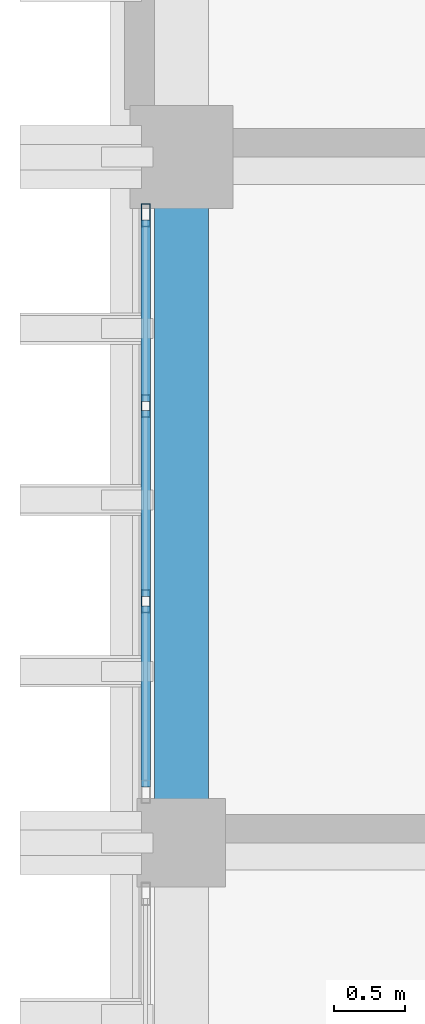
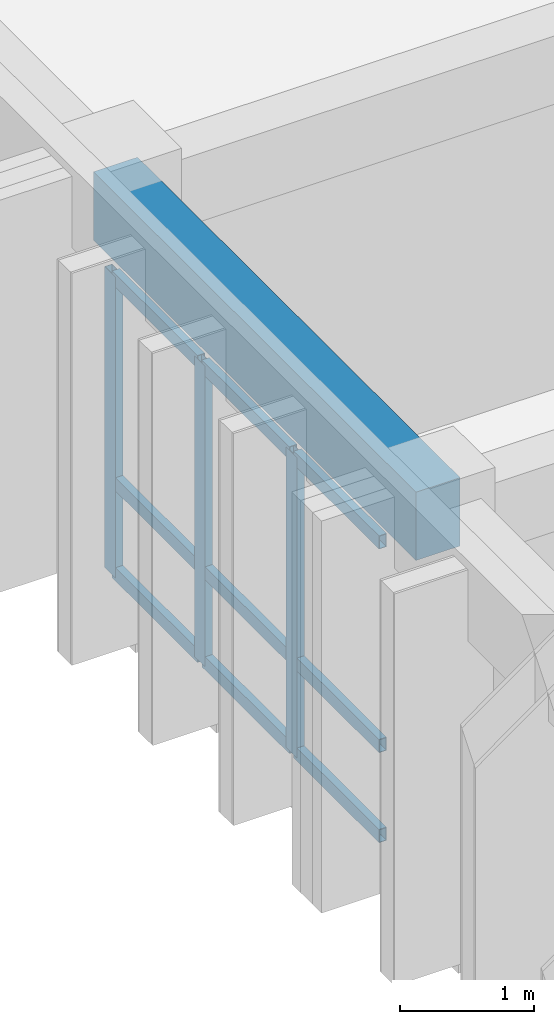
# One storey, part 10 of 59: 12 members, 1 beam, 1 element without a shape of its own.
"""IFC4 building model written with IfcOpenShell, lengths in metres."""

from ifc_helpers import new_model, si_unit, direction, frame, origin, origin_2d, place, context, subcontext, project, spatial, rectangle, hollow_rectangle, extrude, material, layer, layer_set, material_profile, profile_set, type_object, element, aggregate, save


model = new_model("IFC4")

# Units and contexts
model_context = context("Model", 3, precision=1e-05, world=origin(), true_north=direction((0.0, 1.0)))
body_context = subcontext(model_context, "Body", "Model", "MODEL_VIEW")
ifc_project = project(units=[si_unit("LENGTHUNIT", "METRE"), si_unit("AREAUNIT", "SQUARE_METRE"), si_unit("VOLUMEUNIT", "CUBIC_METRE"), si_unit("PLANEANGLEUNIT", "RADIAN"), si_unit("MASSUNIT", "GRAM", prefix="KILO")], contexts=[model_context])

# Site, building, storey
site_placement = place(None, origin())
site = spatial("IfcSite", under=ifc_project, at=site_placement, CompositionType="ELEMENT")
building_placement = place(site_placement, origin())
building = spatial("IfcBuilding", under=site, at=building_placement, Name="Nakhvara Creek Congress Hotel", CompositionType="ELEMENT")
storey_placement = place(building_placement, frame((0.0, 0.0, 31.800048828125)))
storey = spatial("IfcBuildingStorey", under=building, at=storey_placement, Name="L07", CompositionType="ELEMENT", Elevation=31.800048828125)

# Beam
ifc_material_1 = material(Name="Concrete C40/50", Category="concrete")
ifc_material_profile_1 = material_profile(ifc_material_1, rectangle(XDim=0.3798828125, YDim=0.6201171875, at=origin_2d()), Name="RC-BM 380x620", Category="LoadBearing")
ifc_profile_set_1 = profile_set([ifc_material_profile_1], Name="Concrete C40/50")
beam_type = type_object("IfcBeamType", Name="BM-RC-380X620", PredefinedType="BEAM", material=ifc_profile_set_1)
beam_placement = place(storey_placement, frame((149.449951171875, 62.39990234375, 3.050048828125), z_axis=(0.0, 1.0, 0.0), x_axis=(-1.0, 0.0, 0.0)))
element("IfcBeam", 1, at=beam_placement, inside=storey, type_object=beam_type, Name="Beam B10-L07-2324", PredefinedType="BEAM", context=body_context, shape_type="SweptSolid", body=[
    extrude(rectangle(XDim=0.3798828125, YDim=0.6201171875, at=origin_2d()), origin(), (0.0, 0.0, 1.0), 4.800048828125),
])

# Curtain wall, members
ifc_material_2 = material(Name="Bronze-anodised aluminium AW-6063-T6 and double-silver low-E glass", Category="aluminium")
ifc_layer = layer(ifc_material_2, 0.199951171875)
ifc_layer_set = layer_set([ifc_layer], Name="Bronze-anodised aluminium AW-6063-T6 and double-silver low-E glass")
curtain_wall_type = type_object("IfcCurtainWallType", Name="CW-HTL-UNIT", PredefinedType="USERDEFINED", material=ifc_layer_set)
curtain_wall_placement = place(storey_placement, origin())
curtain_wall = element("IfcCurtainWall", 2, at=curtain_wall_placement, inside=storey, type_object=curtain_wall_type, Name="Curtain Wall CW258", ObjectType="UNITISED", PredefinedType="USERDEFINED")
ifc_material_3 = material(Name="Bronze-anodised aluminium AW-6063-T6", Category="aluminium")
ifc_material_profile_2 = material_profile(ifc_material_3, hollow_rectangle(XDim=0.06494140625, YDim=0.159912109375, WallThickness=0.00390625, at=origin_2d()), Name="ALU-MULL 65x160x4", Category="LoadBearing")
ifc_profile_set_2 = profile_set([ifc_material_profile_2], Name="Bronze-anodised aluminium AW-6063-T6")
member_type_1 = type_object("IfcMemberType", Name="CW-MULL-160", PredefinedType="MULLION", material=ifc_profile_set_2)
member_1_placement = place(storey_placement, frame((149.199951171875, 64.091552734375, 0.0), z_axis=(0.0, 0.0, 1.0), x_axis=(-1.0, 0.0, 0.0)))
member_1 = element("IfcMember", 3, at=member_1_placement, type_object=member_type_1, Name="CW258 mullion 2", PredefinedType="MULLION", context=body_context, shape_type="SweptSolid", body=[
    extrude(hollow_rectangle(XDim=0.06494140625, YDim=0.159912109375, WallThickness=0.00390625, at=origin_2d()), origin(), (0.0, 0.0, 1.0), 2.73193359375),
])
member_2_placement = place(storey_placement, frame((149.199951171875, 65.458251953125, 0.0), z_axis=(0.0, 0.0, 1.0), x_axis=(-1.0, 0.0, 0.0)))
member_2 = element("IfcMember", 4, at=member_2_placement, type_object=member_type_1, Name="CW258 mullion 3", PredefinedType="MULLION", context=body_context, shape_type="SweptSolid", body=[
    extrude(hollow_rectangle(XDim=0.06494140625, YDim=0.159912109375, WallThickness=0.00390625, at=origin_2d()), origin(), (0.0, 0.0, 1.0), 2.73193359375),
])
member_3_placement = place(storey_placement, frame((149.199951171875, 66.79248046875, 0.0), z_axis=(0.0, 0.0, 1.0), x_axis=(-1.0, 0.0, 0.0)))
member_3 = element("IfcMember", 5, at=member_3_placement, type_object=member_type_1, Name="CW258 mullion 4", PredefinedType="MULLION", context=body_context, shape_type="SweptSolid", body=[
    extrude(hollow_rectangle(XDim=0.06494140625, YDim=0.159912109375, WallThickness=0.00390625, at=origin_2d()), origin(), (0.0, 0.0, 1.0), 2.73193359375),
])
ifc_material_profile_3 = material_profile(ifc_material_3, hollow_rectangle(XDim=0.06494140625, YDim=0.1201171875, WallThickness=0.00390625, at=origin_2d()), Name="ALU-TRAN 65x120x4", Category="LoadBearing")
ifc_profile_set_3 = profile_set([ifc_material_profile_3], Name="Bronze-anodised aluminium AW-6063-T6")
member_type_2 = type_object("IfcMemberType", Name="CW-TRAN-120", PredefinedType="USERDEFINED", material=ifc_profile_set_3)
member_4_placement = place(storey_placement, frame((149.199951171875, 62.7900390625, 0.032470703125), z_axis=(0.0, 1.0, 0.0), x_axis=(-1.0, 0.0, 0.0)))
member_4 = element("IfcMember", 6, at=member_4_placement, type_object=member_type_2, Name="CW258 transom 1.1", ObjectType="TRANSOM", PredefinedType="USERDEFINED", context=body_context, shape_type="SweptSolid", body=[
    extrude(hollow_rectangle(XDim=0.06494140625, YDim=0.1201171875, WallThickness=0.00390625, at=origin_2d()), origin(), (0.0, 0.0, 1.0), 1.26904296875),
])
member_5_placement = place(storey_placement, frame((149.199951171875, 62.7900390625, 0.849853515625), z_axis=(0.0, 1.0, 0.0), x_axis=(-1.0, 0.0, 0.0)))
member_5 = element("IfcMember", 7, at=member_5_placement, type_object=member_type_2, Name="CW258 transom 1.2", ObjectType="TRANSOM", PredefinedType="USERDEFINED", context=body_context, shape_type="SweptSolid", body=[
    extrude(hollow_rectangle(XDim=0.06494140625, YDim=0.1201171875, WallThickness=0.00390625, at=origin_2d()), origin(), (0.0, 0.0, 1.0), 1.26904296875),
])
member_6_placement = place(storey_placement, frame((149.199951171875, 62.7900390625, 2.699462890625), z_axis=(0.0, 1.0, 0.0), x_axis=(-1.0, 0.0, 0.0)))
member_6 = element("IfcMember", 8, at=member_6_placement, type_object=member_type_2, Name="CW258 transom 1.3", ObjectType="TRANSOM", PredefinedType="USERDEFINED", context=body_context, shape_type="SweptSolid", body=[
    extrude(hollow_rectangle(XDim=0.06494140625, YDim=0.1201171875, WallThickness=0.00390625, at=origin_2d()), origin(), (0.0, 0.0, 1.0), 1.26904296875),
])
member_7_placement = place(storey_placement, frame((149.199951171875, 64.124267578125, 0.032470703125), z_axis=(0.0, 1.0, 0.0), x_axis=(-1.0, 0.0, 0.0)))
member_7 = element("IfcMember", 9, at=member_7_placement, type_object=member_type_2, Name="CW258 transom 2.1", ObjectType="TRANSOM", PredefinedType="USERDEFINED", context=body_context, shape_type="SweptSolid", body=[
    extrude(hollow_rectangle(XDim=0.06494140625, YDim=0.1201171875, WallThickness=0.00390625, at=origin_2d()), origin(), (0.0, 0.0, 1.0), 1.301513671875),
])
member_8_placement = place(storey_placement, frame((149.199951171875, 64.124267578125, 0.849853515625), z_axis=(0.0, 1.0, 0.0), x_axis=(-1.0, 0.0, 0.0)))
member_8 = element("IfcMember", 10, at=member_8_placement, type_object=member_type_2, Name="CW258 transom 2.2", ObjectType="TRANSOM", PredefinedType="USERDEFINED", context=body_context, shape_type="SweptSolid", body=[
    extrude(hollow_rectangle(XDim=0.06494140625, YDim=0.1201171875, WallThickness=0.00390625, at=origin_2d()), origin(), (0.0, 0.0, 1.0), 1.301513671875),
])
member_9_placement = place(storey_placement, frame((149.199951171875, 64.124267578125, 2.699462890625), z_axis=(0.0, 1.0, 0.0), x_axis=(-1.0, 0.0, 0.0)))
member_9 = element("IfcMember", 11, at=member_9_placement, type_object=member_type_2, Name="CW258 transom 2.3", ObjectType="TRANSOM", PredefinedType="USERDEFINED", context=body_context, shape_type="SweptSolid", body=[
    extrude(hollow_rectangle(XDim=0.06494140625, YDim=0.1201171875, WallThickness=0.00390625, at=origin_2d()), origin(), (0.0, 0.0, 1.0), 1.301513671875),
])
member_10_placement = place(storey_placement, frame((149.199951171875, 65.49072265625, 0.032470703125), z_axis=(0.0, 1.0, 0.0), x_axis=(-1.0, 0.0, 0.0)))
member_10 = element("IfcMember", 12, at=member_10_placement, type_object=member_type_2, Name="CW258 transom 3.1", ObjectType="TRANSOM", PredefinedType="USERDEFINED", context=body_context, shape_type="SweptSolid", body=[
    extrude(hollow_rectangle(XDim=0.06494140625, YDim=0.1201171875, WallThickness=0.00390625, at=origin_2d()), origin(), (0.0, 0.0, 1.0), 1.269287109375),
])
member_11_placement = place(storey_placement, frame((149.199951171875, 65.49072265625, 0.849853515625), z_axis=(0.0, 1.0, 0.0), x_axis=(-1.0, 0.0, 0.0)))
member_11 = element("IfcMember", 13, at=member_11_placement, type_object=member_type_2, Name="CW258 transom 3.2", ObjectType="TRANSOM", PredefinedType="USERDEFINED", context=body_context, shape_type="SweptSolid", body=[
    extrude(hollow_rectangle(XDim=0.06494140625, YDim=0.1201171875, WallThickness=0.00390625, at=origin_2d()), origin(), (0.0, 0.0, 1.0), 1.269287109375),
])
member_12_placement = place(storey_placement, frame((149.199951171875, 65.49072265625, 2.699462890625), z_axis=(0.0, 1.0, 0.0), x_axis=(-1.0, 0.0, 0.0)))
member_12 = element("IfcMember", 14, at=member_12_placement, type_object=member_type_2, Name="CW258 transom 3.3", ObjectType="TRANSOM", PredefinedType="USERDEFINED", context=body_context, shape_type="SweptSolid", body=[
    extrude(hollow_rectangle(XDim=0.06494140625, YDim=0.1201171875, WallThickness=0.00390625, at=origin_2d()), origin(), (0.0, 0.0, 1.0), 1.269287109375),
])
aggregate(curtain_wall, [member_1, member_2, member_3, member_4, member_5, member_6, member_7, member_8, member_9, member_10, member_11, member_12])

save(model, "model.ifc")
